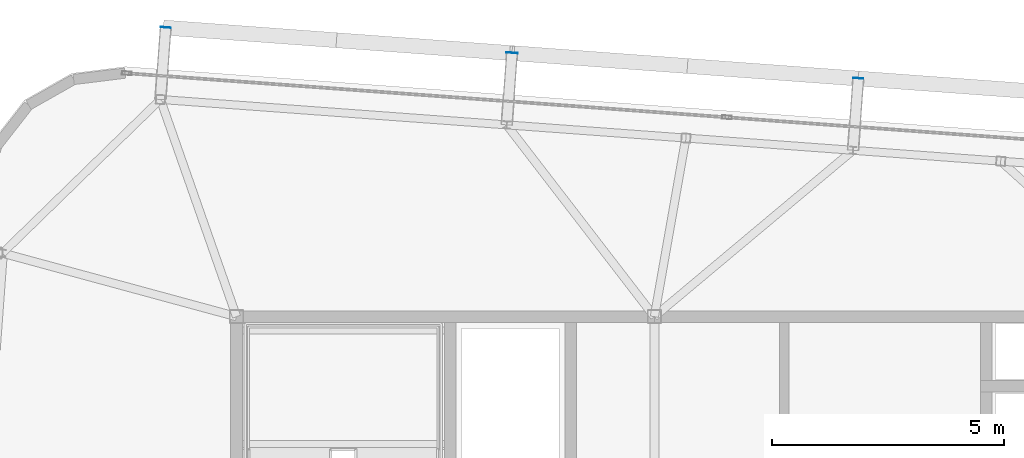
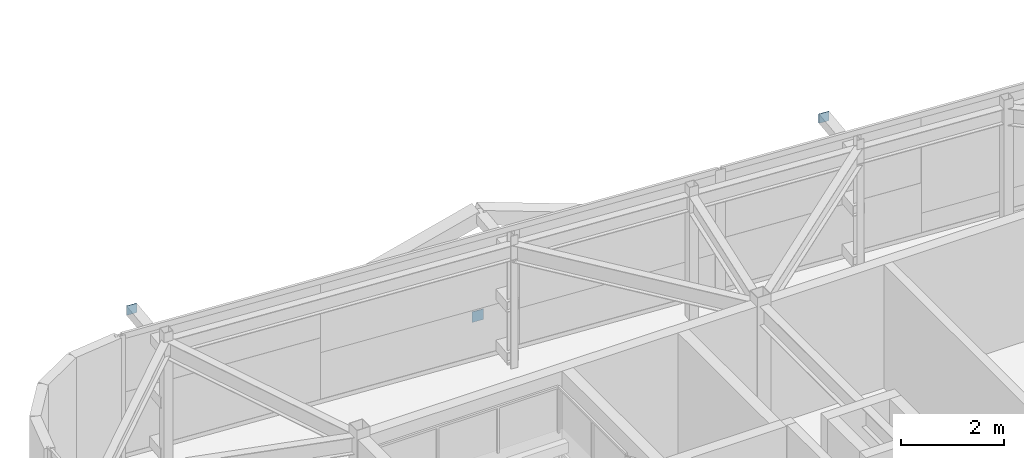
# One storey, part 29 of 34: 3 plates.
"""IFC4 building model written with IfcOpenShell, lengths in metres."""

from ifc_helpers import new_model, si_unit, direction, frame, origin, origin_2d, place, context, subcontext, project, spatial, rectangle, extrude, source, transform, mapped, material, layer, layer_set, type_object, element, save


model = new_model("IFC4")

# Units and contexts
model_context = context("Model", 3, precision=1e-05, world=origin(), true_north=direction((0.0, 1.0)))
body_context = subcontext(model_context, "Body", "Model", "MODEL_VIEW")
ifc_project = project(units=[si_unit("LENGTHUNIT", "METRE"), si_unit("AREAUNIT", "SQUARE_METRE"), si_unit("VOLUMEUNIT", "CUBIC_METRE"), si_unit("PLANEANGLEUNIT", "RADIAN"), si_unit("MASSUNIT", "GRAM", prefix="KILO")], contexts=[model_context])

# Site, building, storey
site_placement = place(None, origin())
site = spatial("IfcSite", under=ifc_project, at=site_placement, CompositionType="ELEMENT")
building_placement = place(site_placement, origin())
building = spatial("IfcBuilding", under=site, at=building_placement, Name="Taldren Reach Tower", CompositionType="ELEMENT")
storey_placement = place(building_placement, frame((0.0, 0.0, 242.89990234375)))
storey = spatial("IfcBuildingStorey", under=building, at=storey_placement, Name="L74", CompositionType="ELEMENT", Elevation=242.89990234375)

# Plates
ifc_material_1 = material(Name="Steel Gr 350 (C350L0)", Category="steel")
ifc_layer_1 = layer(ifc_material_1, 0.011962890625)
ifc_layer_set_1 = layer_set([ifc_layer_1], Name="Steel Gr 350 (C350L0)")
plate_type_1 = type_object("IfcPlateType", Name="PL-CAP-250", PredefinedType="SHEET", material=ifc_layer_set_1)
shared_shape_1 = source(origin(), body_context, "Body", "SweptSolid", [
    extrude(rectangle(XDim=0.25, YDim=0.011962890625, at=origin_2d()), origin(), (0.0, 0.0, 1.0), 0.25),
])
plate_placement = place(storey_placement, frame((24.93359375, 37.682861328125, 0.09521484375), z_axis=(0.0, 0.0, 1.0), x_axis=(0.997314477224, -0.073238197128, 0.0)))
element("IfcPlate", 1, at=plate_placement, inside=storey, type_object=plate_type_1, Name="Tie strut end cap plate B5-N2 L74", PredefinedType="SHEET", context=body_context, shape_type="MappedRepresentation", body=[
    mapped(shared_shape_1, transform((0.0, 0.0, 0.0), scale=1.0)),
])
ifc_material_2 = material(Name="Steel Gr 450 (C450L0)", Category="steel")
ifc_layer_2 = layer(ifc_material_2, 0.011962890625)
ifc_layer_set_2 = layer_set([ifc_layer_2], Name="Steel Gr 450 (C450L0)")
plate_type_2 = type_object("IfcPlateType", Name="PL-CAP-220", PredefinedType="SHEET", material=ifc_layer_set_2)
shared_shape_2 = source(origin(), body_context, "Body", "SweptSolid", [
    extrude(rectangle(XDim=0.219970703125, YDim=0.011962890625, at=origin_2d()), origin(), (0.0, 0.0, 1.0), 0.219970703125),
])
for number, where, z_axis, x_axis, name in (
    (2, (17.4736328125, 38.230712890625, 2.5400390625), (0.0, 0.0, 1.0), (0.997314477224, -0.073238197128, 0.0), "Tie strut end cap plate B5-N1 L74"),
    (3, (32.3935546875, 37.135009765625, 2.5400390625), (0.0, 0.0, 1.0), (0.997314477224, -0.073238197128, 0.0), "Tie strut end cap plate B5-N3 L74"),
):
    element("IfcPlate", number, at=place(storey_placement, frame(where, z_axis=z_axis, x_axis=x_axis)), inside=storey, type_object=plate_type_2, Name=name, PredefinedType="SHEET", context=body_context, shape_type="MappedRepresentation", body=[
        mapped(shared_shape_2, transform((0.0, 0.0, 0.0), scale=1.0)),
    ])

save(model, "model.ifc")
